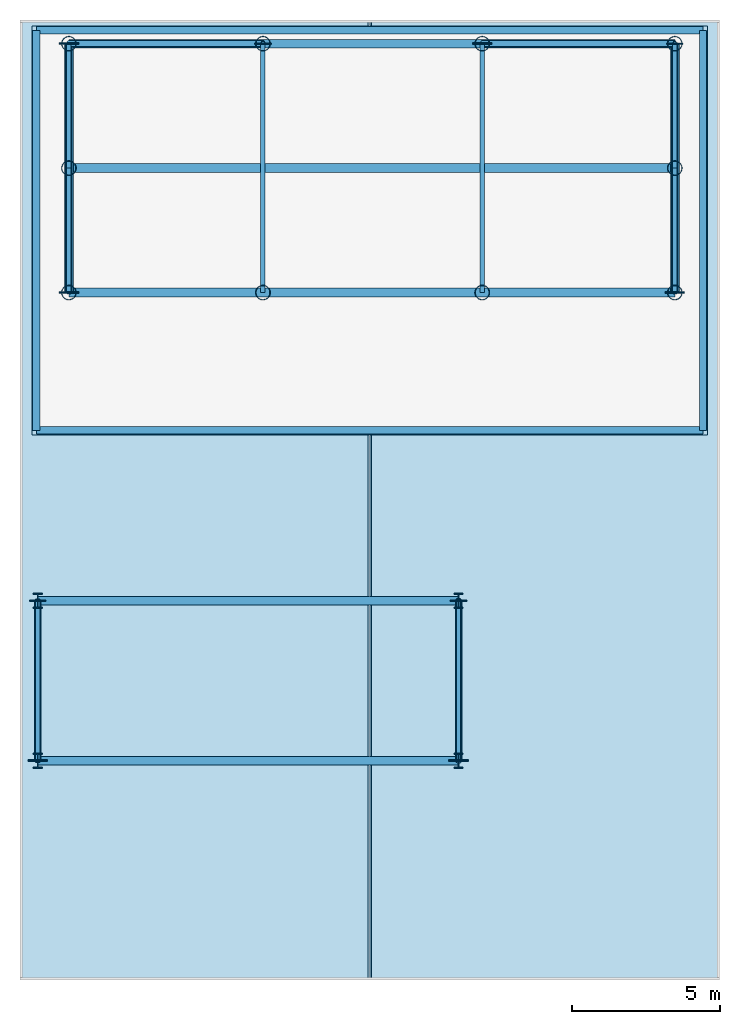
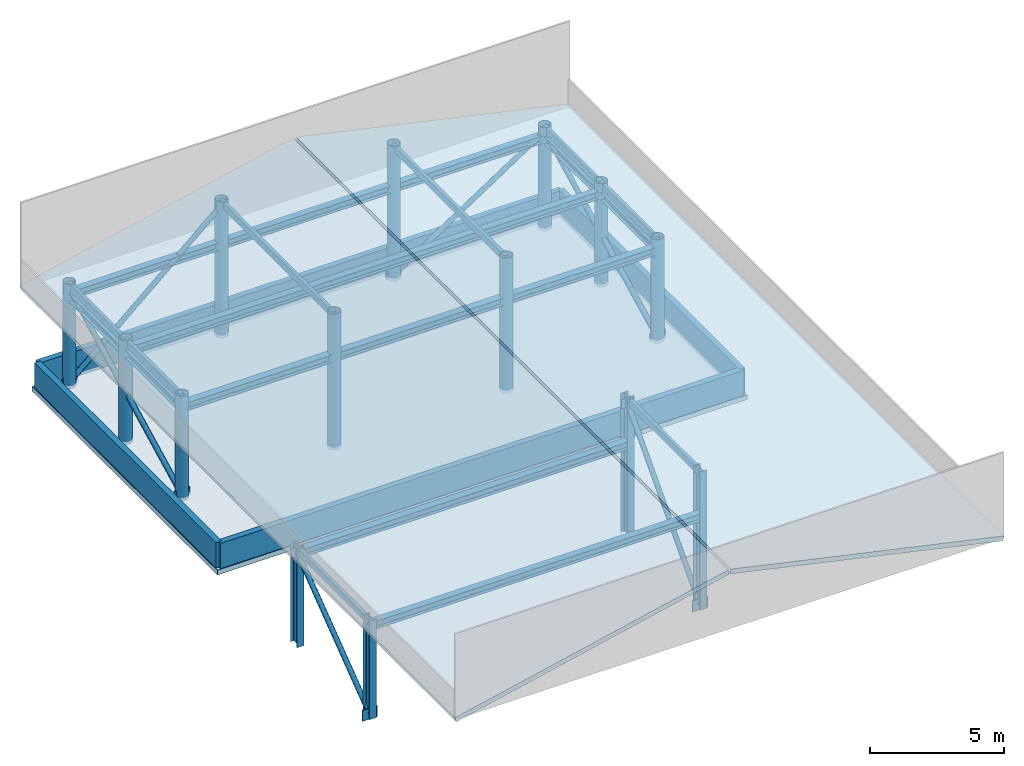
# One storey, part 1 of 2: 14 columns, 14 members, 11 plates, 7 beams, 4 walls, 3 slabs.
"""IFC4 building model written with IfcOpenShell, lengths in metres."""

import ifcopenshell
import ifcopenshell.guid

model = None  # the IFC model being written
_history = None  # IfcOwnerHistory: only IFC2X3 demands one
_inside = {}  # id of a spatial element -> (the spatial element, [elements in it])
_under = {}  # id of a project, library or spatial element -> (it, [spatial elements below it])
_declared = {}  # id of a project -> (the project, [libraries it declares])
_typed = {}  # id of a type object -> (the type object, [elements of that type])
_made_of = {}  # id of a material, layer set ... -> (it, [elements and type objects made of it])


def new_model(schema):
    """Start an empty IFC model of exactly this schema.

    Asked for "IFC4X3", IfcOpenShell would pick the latest addendum, in which some entities
    have other attributes; the version numbers below select the first issue.
    IFC2X3 requires an IfcOwnerHistory on every rooted entity: one is made here for all.
    """
    global model, _history
    if schema == "IFC4X3":
        model = ifcopenshell.file(schema_version=(4, 3, 0, 0))
    else:
        model = ifcopenshell.file(schema=schema)
    _inside.clear()
    _under.clear()
    _declared.clear()
    _typed.clear()
    _made_of.clear()
    _history = None
    if model.schema == "IFC2X3":
        org = make("IfcOrganization", Name="unknown")
        user = make(
            "IfcPersonAndOrganization",
            ThePerson=make("IfcPerson", FamilyName="unknown"),
            TheOrganization=org,
        )
        app = make(
            "IfcApplication",
            ApplicationDeveloper=org,
            Version="unknown",
            ApplicationFullName="unknown",
            ApplicationIdentifier="unknown",
        )
        _history = make(
            "IfcOwnerHistory",
            OwningUser=user,
            OwningApplication=app,
            ChangeAction="ADDED",
            CreationDate=0,
        )
    return model


def make(cls, **values):
    """One entity of the class cls with the attributes given. An attribute that is None is left unset."""
    return model.create_entity(
        cls, **{name: value for name, value in values.items() if value is not None}
    )


def rooted(cls, **values):
    """An entity with a GlobalId (a new one), such as an element, a storey or a relation."""
    return make(cls, GlobalId=ifcopenshell.guid.new(), OwnerHistory=_history, **values)


def si_unit(unit_type, name, prefix=None):
    """IfcSIUnit, for example si_unit("LENGTHUNIT", "METRE", prefix="MILLI")."""
    return make("IfcSIUnit", UnitType=unit_type, Prefix=prefix, Name=name)


def assignment(units):
    """IfcUnitAssignment: the units of a project."""
    return None if units is None else make("IfcUnitAssignment", Units=units)


def point(xyz):
    """IfcCartesianPoint."""
    return None if xyz is None else make("IfcCartesianPoint", Coordinates=xyz)


def direction(xyz):
    """IfcDirection."""
    return None if xyz is None else make("IfcDirection", DirectionRatios=xyz)


def frame(location, z_axis=None, x_axis=None):
    """IfcAxis2Placement3D, a coordinate frame: its origin and axes. An axis left out is left unset."""
    return make(
        "IfcAxis2Placement3D",
        Location=point(location),
        Axis=direction(z_axis),
        RefDirection=direction(x_axis),
    )


def frame_2d(location, x_axis=None):
    """IfcAxis2Placement2D, a coordinate frame in the plane: its origin and x axis."""
    return make(
        "IfcAxis2Placement2D", Location=point(location), RefDirection=direction(x_axis)
    )


def origin():
    """The frame at (0, 0, 0) with its axes left unset."""
    return frame((0.0, 0.0, 0.0))


def origin_2d():
    """The frame at (0, 0) in the plane with its x axis left unset."""
    return frame_2d((0.0, 0.0))


def place(relative_to, where):
    """IfcLocalPlacement: puts the frame where relative to a parent placement (None: the world)."""
    return make(
        "IfcLocalPlacement", PlacementRelTo=relative_to, RelativePlacement=where
    )


def context(
    kind, dimensions, precision=None, world=None, true_north=None, identifier=None
):
    """IfcGeometricRepresentationContext, for example the 3D "Model" context."""
    return make(
        "IfcGeometricRepresentationContext",
        ContextIdentifier=identifier,
        ContextType=kind,
        CoordinateSpaceDimension=dimensions,
        Precision=precision,
        WorldCoordinateSystem=world,
        TrueNorth=true_north,
    )


def subcontext(parent, identifier, kind, view, scale=None):
    """IfcGeometricRepresentationSubContext, for example "Body" below "Model"."""
    return make(
        "IfcGeometricRepresentationSubContext",
        ContextIdentifier=identifier,
        ContextType=kind,
        ParentContext=parent,
        TargetScale=scale,
        TargetView=view,
    )


def project(units=None, contexts=None):
    """IfcProject with its units and contexts."""
    return rooted(
        "IfcProject",
        Name="project",
        RepresentationContexts=contexts,
        UnitsInContext=assignment(units),
    )


def spatial(cls, under=None, at=None, **own):
    """A site, building, storey or space (cls), placed at a placement, below another one or the project."""
    s = rooted(cls, ObjectPlacement=at, **own)
    if under is not None:
        _under.setdefault(under.id(), (under, []))[1].append(s)
    return s


def polyline(points):
    """IfcPolyline through the points."""
    return make("IfcPolyline", Points=[point(p) for p in points])


def profile(cls, at=None, kind="AREA", **sizes):
    """A parametric profile (cls). Its sizes go by their IFC names, for example OverallWidth=200.0."""
    return make(cls, ProfileType=kind, Position=at, **sizes)


def rectangle(**sizes):
    """IfcRectangleProfileDef."""
    return profile("IfcRectangleProfileDef", **sizes)


def hollow_rectangle(**sizes):
    """IfcRectangleHollowProfileDef."""
    return profile("IfcRectangleHollowProfileDef", **sizes)


def hollow_circle(**sizes):
    """IfcCircleHollowProfileDef."""
    return profile("IfcCircleHollowProfileDef", **sizes)


def i_section(**sizes):
    """IfcIShapeProfileDef."""
    return profile("IfcIShapeProfileDef", **sizes)


def outline(outer, holes=None, kind="AREA"):
    """IfcArbitraryClosedProfileDef: a profile drawn as a closed curve; with holes, ...WithVoids."""
    if holes is None:
        return make("IfcArbitraryClosedProfileDef", ProfileType=kind, OuterCurve=outer)
    return make(
        "IfcArbitraryProfileDefWithVoids",
        ProfileType=kind,
        OuterCurve=outer,
        InnerCurves=holes,
    )


def extrude(swept, where, along, depth):
    """IfcExtrudedAreaSolid: the profile swept, set in the frame where, extruded along a direction by depth."""
    return make(
        "IfcExtrudedAreaSolid",
        SweptArea=swept,
        Position=where,
        ExtrudedDirection=direction(along),
        Depth=depth,
    )


def shape(context_of_items, identifier, shape_type, items):
    """IfcShapeRepresentation: the items that make up one representation, for example the "Body"."""
    return make(
        "IfcShapeRepresentation",
        ContextOfItems=context_of_items,
        RepresentationIdentifier=identifier,
        RepresentationType=shape_type,
        Items=items,
    )


def material(Name=None, Category=None):
    """IfcMaterial."""
    return make("IfcMaterial", Name=Name, Category=Category)


def layer(
    of_material, thickness, ventilated=None, Name=None, Category=None, Priority=None
):
    """IfcMaterialLayer: one layer of a wall or slab, of a material (None: an air gap)."""
    return make(
        "IfcMaterialLayer",
        Material=of_material,
        LayerThickness=thickness,
        IsVentilated=ventilated,
        Name=Name,
        Category=Category,
        Priority=Priority,
    )


def layer_set(layers, Name=None):
    """IfcMaterialLayerSet."""
    return make("IfcMaterialLayerSet", MaterialLayers=layers, LayerSetName=Name)


def material_profile(
    of_material, cross_section, Name=None, Category=None, Priority=None
):
    """IfcMaterialProfile: a cross section and its material."""
    return make(
        "IfcMaterialProfile",
        Name=Name,
        Material=of_material,
        Profile=cross_section,
        Priority=Priority,
        Category=Category,
    )


def profile_set(profiles, Name=None, composite=None):
    """IfcMaterialProfileSet."""
    return make(
        "IfcMaterialProfileSet",
        Name=Name,
        MaterialProfiles=profiles,
        CompositeProfile=composite,
    )


def made_of(thing, what):
    """Note that an element or type object is made of a material, layer set ...; save() writes the relation."""
    if what is not None:
        _made_of.setdefault(what.id(), (what, []))[1].append(thing)
    return thing


def type_object(cls, material=None, **own):
    """A type object (cls), such as IfcWallType, which elements share."""
    return made_of(rooted(cls, **own), material)


def element(
    cls,
    number,
    at=None,
    inside=None,
    cuts=None,
    type_object=None,
    material=None,
    context=None,
    identifier="Body",
    shape_type=None,
    held_by="IfcProductDefinitionShape",
    body=None,
    shapes=None,
    **own,
):
    """One element of the class cls, such as IfcWall. Its Tag is "e" and its number.

    at: its placement. inside: the storey or other place that contains it. cuts: it is an
    opening in that element (IfcRelVoidsElement). A single representation is given by context,
    identifier, shape_type and body (its items); several are given by shapes. held_by: the class
    of the entity that holds the representations. save() writes the other relations.
    """
    e = rooted(cls, Tag="e%d" % number, ObjectPlacement=at, **own)
    if body is not None:
        shapes = [shape(context, identifier, shape_type, body)]
    if shapes is not None:
        e.Representation = make(held_by, Representations=shapes)
    if inside is not None:
        _inside.setdefault(inside.id(), (inside, []))[1].append(e)
    if cuts is not None:
        rooted(
            "IfcRelVoidsElement", RelatingBuildingElement=cuts, RelatedOpeningElement=e
        )
    if type_object is not None:
        _typed.setdefault(type_object.id(), (type_object, []))[1].append(e)
    return made_of(e, material)


def aggregate(whole, parts):
    """IfcRelAggregates: a whole, such as a stair, and the parts it consists of."""
    return rooted("IfcRelAggregates", RelatingObject=whole, RelatedObjects=parts)


def save(model, path):
    """Write the relations noted so far, then the file.

    IfcRelAggregates (storeys below a building ...), IfcRelContainedInSpatialStructure (elements
    in a storey), IfcRelDefinesByType, IfcRelAssociatesMaterial and IfcRelDeclares: one each for
    every whole, place, type object, material and project.
    """
    for whole, parts in _under.values():
        aggregate(whole, parts)
    for where, things in _inside.values():
        rooted(
            "IfcRelContainedInSpatialStructure",
            RelatedElements=things,
            RelatingStructure=where,
        )
    for kind, things in _typed.values():
        rooted("IfcRelDefinesByType", RelatedObjects=things, RelatingType=kind)
    for what, things in _made_of.values():
        rooted("IfcRelAssociatesMaterial", RelatedObjects=things, RelatingMaterial=what)
    for by, libraries in _declared.values():
        rooted("IfcRelDeclares", RelatingContext=by, RelatedDefinitions=libraries)
    model.write(path)


model = new_model("IFC4")

# Units and contexts
model_context = context("Model", 3, precision=1e-05, world=origin(), true_north=direction((0.0, 1.0)))
body_context = subcontext(model_context, "Body", "Model", "MODEL_VIEW")
ifc_project = project(units=[si_unit("LENGTHUNIT", "METRE"), si_unit("AREAUNIT", "SQUARE_METRE"), si_unit("VOLUMEUNIT", "CUBIC_METRE"), si_unit("PLANEANGLEUNIT", "RADIAN"), si_unit("MASSUNIT", "GRAM", prefix="KILO")], contexts=[model_context])

# Site, building, storey
site_placement = place(None, origin())
site = spatial("IfcSite", under=ifc_project, at=site_placement, CompositionType="ELEMENT")
building_placement = place(site_placement, origin())
building = spatial("IfcBuilding", under=site, at=building_placement, Name="Kuzgunbayir Cultural Tower", CompositionType="ELEMENT")
storey_placement = place(building_placement, frame((0.0, 0.0, 254.199951171875)))
storey = spatial("IfcBuildingStorey", under=building, at=storey_placement, Name="RF1", CompositionType="ELEMENT", Elevation=254.199951171875)

# Columns
ifc_material_1 = material(Name="Steel S460M", Category="steel")
ifc_material_profile_1 = material_profile(ifc_material_1, hollow_circle(Radius=0.25390625, WallThickness=0.02490234375, at=origin_2d()), Name="CHS 508x25")
ifc_profile_set_1 = profile_set([ifc_material_profile_1], Name="Steel S460M")
column_type_1 = type_object("IfcColumnType", Name="COL-MAST-CM1", PredefinedType="COLUMN", material=ifc_profile_set_1)
column_1_placement = place(storey_placement, frame((6.449951171875, 33.800048828125, 0.0), z_axis=(0.0, 0.0, 1.0), x_axis=(1.0, 0.0, 0.0)))
element("IfcColumn", 1, at=column_1_placement, inside=storey, type_object=column_type_1, Name="RF1 Observation Crest Canopy Mast CM1-1", PredefinedType="COLUMN", context=body_context, shape_type="SweptSolid", body=[
    extrude(hollow_circle(Radius=0.25390625, WallThickness=0.02490234375, at=origin_2d()), origin(), (0.0, 0.0, 1.0), 4.719970703125),
])
column_2_placement = place(storey_placement, frame((13.0, 33.800048828125, 0.0), z_axis=(0.0, 0.0, 1.0), x_axis=(1.0, 0.0, 0.0)))
element("IfcColumn", 2, at=column_2_placement, inside=storey, type_object=column_type_1, Name="RF1 Observation Crest Canopy Mast CM1-2", PredefinedType="COLUMN", context=body_context, shape_type="SweptSolid", body=[
    extrude(hollow_circle(Radius=0.25390625, WallThickness=0.02490234375, at=origin_2d()), origin(), (0.0, 0.0, 1.0), 6.170166015625),
])
column_3_placement = place(storey_placement, frame((20.39990234375, 33.800048828125, 0.0), z_axis=(0.0, 0.0, 1.0), x_axis=(1.0, 0.0, 0.0)))
element("IfcColumn", 3, at=column_3_placement, inside=storey, type_object=column_type_1, Name="RF1 Observation Crest Canopy Mast CM1-3", PredefinedType="COLUMN", context=body_context, shape_type="SweptSolid", body=[
    extrude(hollow_circle(Radius=0.25390625, WallThickness=0.02490234375, at=origin_2d()), origin(), (0.0, 0.0, 1.0), 6.1201171875),
])
column_4_placement = place(storey_placement, frame((26.89990234375, 33.800048828125, 0.0), z_axis=(0.0, 0.0, 1.0), x_axis=(1.0, 0.0, 0.0)))
element("IfcColumn", 4, at=column_4_placement, inside=storey, type_object=column_type_1, Name="RF1 Observation Crest Canopy Mast CM1-4", PredefinedType="COLUMN", context=body_context, shape_type="SweptSolid", body=[
    extrude(hollow_circle(Radius=0.25390625, WallThickness=0.02490234375, at=origin_2d()), origin(), (0.0, 0.0, 1.0), 4.68994140625),
])
column_5_placement = place(storey_placement, frame((6.449951171875, 42.199951171875, 0.0), z_axis=(0.0, 0.0, 1.0), x_axis=(1.0, 0.0, 0.0)))
element("IfcColumn", 5, at=column_5_placement, inside=storey, type_object=column_type_1, Name="RF1 Observation Crest Canopy Mast CM1-5", PredefinedType="COLUMN", context=body_context, shape_type="SweptSolid", body=[
    extrude(hollow_circle(Radius=0.25390625, WallThickness=0.02490234375, at=origin_2d()), origin(), (0.0, 0.0, 1.0), 4.719970703125),
])
column_6_placement = place(storey_placement, frame((26.89990234375, 42.199951171875, 0.0), z_axis=(0.0, 0.0, 1.0), x_axis=(1.0, 0.0, 0.0)))
element("IfcColumn", 6, at=column_6_placement, inside=storey, type_object=column_type_1, Name="RF1 Observation Crest Canopy Mast CM1-6", PredefinedType="COLUMN", context=body_context, shape_type="SweptSolid", body=[
    extrude(hollow_circle(Radius=0.25390625, WallThickness=0.02490234375, at=origin_2d()), origin(), (0.0, 0.0, 1.0), 4.68994140625),
])
column_7_placement = place(storey_placement, frame((13.0, 42.199951171875, 0.0), z_axis=(0.0, 0.0, 1.0), x_axis=(1.0, 0.0, 0.0)))
element("IfcColumn", 7, at=column_7_placement, inside=storey, type_object=column_type_1, Name="RF1 Observation Crest Canopy Mast CM1-7", PredefinedType="COLUMN", context=body_context, shape_type="SweptSolid", body=[
    extrude(hollow_circle(Radius=0.25390625, WallThickness=0.02490234375, at=origin_2d()), origin(), (0.0, 0.0, 1.0), 6.170166015625),
])
column_8_placement = place(storey_placement, frame((20.39990234375, 42.199951171875, 0.0), z_axis=(0.0, 0.0, 1.0), x_axis=(1.0, 0.0, 0.0)))
element("IfcColumn", 8, at=column_8_placement, inside=storey, type_object=column_type_1, Name="RF1 Observation Crest Canopy Mast CM1-8", PredefinedType="COLUMN", context=body_context, shape_type="SweptSolid", body=[
    extrude(hollow_circle(Radius=0.25390625, WallThickness=0.02490234375, at=origin_2d()), origin(), (0.0, 0.0, 1.0), 6.1201171875),
])
column_9_placement = place(storey_placement, frame((6.449951171875, 38.0, 0.0), z_axis=(0.0, 0.0, 1.0), x_axis=(1.0, 0.0, 0.0)))
element("IfcColumn", 9, at=column_9_placement, inside=storey, type_object=column_type_1, Name="RF1 Observation Crest Canopy Mast CM1-9", PredefinedType="COLUMN", context=body_context, shape_type="SweptSolid", body=[
    extrude(hollow_circle(Radius=0.25390625, WallThickness=0.02490234375, at=origin_2d()), origin(), (0.0, 0.0, 1.0), 4.719970703125),
])
column_10_placement = place(storey_placement, frame((26.89990234375, 38.0, 0.0), z_axis=(0.0, 0.0, 1.0), x_axis=(1.0, 0.0, 0.0)))
element("IfcColumn", 10, at=column_10_placement, inside=storey, type_object=column_type_1, Name="RF1 Observation Crest Canopy Mast CM1-10", PredefinedType="COLUMN", context=body_context, shape_type="SweptSolid", body=[
    extrude(hollow_circle(Radius=0.25390625, WallThickness=0.02490234375, at=origin_2d()), origin(), (0.0, 0.0, 1.0), 4.68994140625),
])
ifc_material_profile_2 = material_profile(ifc_material_1, i_section(OverallWidth=0.300048828125, OverallDepth=0.5, WebThickness=0.014404296875, FlangeThickness=0.028076171875, FilletRadius=0.027099609375, at=origin_2d()), Name="HEB 500")
ifc_profile_set_2 = profile_set([ifc_material_profile_2], Name="Steel S460M")
column_type_2 = type_object("IfcColumnType", Name="COL-MAST-CM2", PredefinedType="COLUMN", material=ifc_profile_set_2)
column_11_placement = place(storey_placement, frame((5.39990234375, 18.0, 0.0), z_axis=(0.0, 0.0, 1.0), x_axis=(1.0, 0.0, 0.0)))
element("IfcColumn", 11, at=column_11_placement, inside=storey, type_object=column_type_2, Name="RF1 Observation Crest Canopy Mast CM2-1", PredefinedType="COLUMN", context=body_context, shape_type="SweptSolid", body=[
    extrude(i_section(OverallWidth=0.300048828125, OverallDepth=0.5, WebThickness=0.014404296875, FlangeThickness=0.028076171875, FilletRadius=0.027099609375, at=origin_2d()), origin(), (0.0, 0.0, 1.0), 4.489990234375),
])
column_12_placement = place(storey_placement, frame((19.60009765625, 18.0, 0.0), z_axis=(0.0, 0.0, 1.0), x_axis=(1.0, 0.0, 0.0)))
element("IfcColumn", 12, at=column_12_placement, inside=storey, type_object=column_type_2, Name="RF1 Observation Crest Canopy Mast CM2-2", PredefinedType="COLUMN", context=body_context, shape_type="SweptSolid", body=[
    extrude(i_section(OverallWidth=0.300048828125, OverallDepth=0.5, WebThickness=0.014404296875, FlangeThickness=0.028076171875, FilletRadius=0.027099609375, at=origin_2d()), origin(), (0.0, 0.0, 1.0), 6.300048828125),
])
column_13_placement = place(storey_placement, frame((5.39990234375, 23.39990234375, 0.0), z_axis=(0.0, 0.0, 1.0), x_axis=(1.0, 0.0, 0.0)))
element("IfcColumn", 13, at=column_13_placement, inside=storey, type_object=column_type_2, Name="RF1 Observation Crest Canopy Mast CM2-3", PredefinedType="COLUMN", context=body_context, shape_type="SweptSolid", body=[
    extrude(i_section(OverallWidth=0.300048828125, OverallDepth=0.5, WebThickness=0.014404296875, FlangeThickness=0.028076171875, FilletRadius=0.027099609375, at=origin_2d()), origin(), (0.0, 0.0, 1.0), 4.489990234375),
])
column_14_placement = place(storey_placement, frame((19.60009765625, 23.39990234375, 0.0), z_axis=(0.0, 0.0, 1.0), x_axis=(1.0, 0.0, 0.0)))
element("IfcColumn", 14, at=column_14_placement, inside=storey, type_object=column_type_2, Name="RF1 Observation Crest Canopy Mast CM2-4", PredefinedType="COLUMN", context=body_context, shape_type="SweptSolid", body=[
    extrude(i_section(OverallWidth=0.300048828125, OverallDepth=0.5, WebThickness=0.014404296875, FlangeThickness=0.028076171875, FilletRadius=0.027099609375, at=origin_2d()), origin(), (0.0, 0.0, 1.0), 6.300048828125),
])

# Beams
ifc_material_2 = material(Name="Steel S355J2", Category="steel")
ifc_material_profile_3 = material_profile(ifc_material_2, i_section(OverallWidth=0.300048828125, OverallDepth=0.360107421875, WebThickness=0.012451171875, FlangeThickness=0.0224609375, FilletRadius=0.027099609375, at=origin_2d()), Name="HEB 360")
ifc_profile_set_3 = profile_set([ifc_material_profile_3], Name="Steel S355J2")
beam_type = type_object("IfcBeamType", Name="BM-EXT-HEB360", PredefinedType="BEAM", material=ifc_profile_set_3)
for number, where, z_axis, x_axis, name in (
    (15, (6.449951171875, 33.800048828125, 4.1201171875), (0.0, 1.0, 0.0), (-1.0, 0.0, 0.0), "RF1 Canopy West Eaves Girder"),
    (16, (26.89990234375, 33.800048828125, 4.1201171875), (0.0, 1.0, 0.0), (-1.0, 0.0, 0.0), "RF1 Canopy East Eaves Girder"),
):
    element("IfcBeam", number, at=place(storey_placement, frame(where, z_axis=z_axis, x_axis=x_axis)), inside=storey, type_object=beam_type, Name=name, PredefinedType="BEAM", context=body_context, shape_type="SweptSolid", body=[
        extrude(i_section(OverallWidth=0.300048828125, OverallDepth=0.360107421875, WebThickness=0.012451171875, FlangeThickness=0.0224609375, FilletRadius=0.027099609375, at=origin_2d()), origin(), (0.0, 0.0, 1.0), 8.39990234375),
    ])
for number, where, z_axis, x_axis, name in (
    (17, (5.39990234375, 18.0, 4.1201171875), (1.0, 0.0, 0.0), (0.0, 1.0, 0.0), "RF1 Canopy Tie Girder 18"),
    (18, (5.39990234375, 23.39990234375, 4.1201171875), (1.0, 0.0, 0.0), (0.0, 1.0, 0.0), "RF1 Canopy Tie Girder 23"),
):
    element("IfcBeam", number, at=place(storey_placement, frame(where, z_axis=z_axis, x_axis=x_axis)), inside=storey, type_object=beam_type, Name=name, PredefinedType="BEAM", context=body_context, shape_type="SweptSolid", body=[
        extrude(i_section(OverallWidth=0.300048828125, OverallDepth=0.360107421875, WebThickness=0.012451171875, FlangeThickness=0.0224609375, FilletRadius=0.027099609375, at=origin_2d()), origin(), (0.0, 0.0, 1.0), 14.2001953125),
    ])
for number, where, z_axis, x_axis, name in (
    (19, (6.449951171875, 33.800048828125, 4.1201171875), (1.0, 0.0, 0.0), (0.0, 1.0, 0.0), "RF1 Canopy Tie Girder 33"),
    (20, (6.449951171875, 38.0, 4.1201171875), (1.0, 0.0, 0.0), (0.0, 1.0, 0.0), "RF1 Canopy Tie Girder 38"),
    (21, (6.449951171875, 42.199951171875, 4.1201171875), (1.0, 0.0, 0.0), (0.0, 1.0, 0.0), "RF1 Canopy Tie Girder 42"),
):
    element("IfcBeam", number, at=place(storey_placement, frame(where, z_axis=z_axis, x_axis=x_axis)), inside=storey, type_object=beam_type, Name=name, PredefinedType="BEAM", context=body_context, shape_type="SweptSolid", body=[
        extrude(i_section(OverallWidth=0.300048828125, OverallDepth=0.360107421875, WebThickness=0.012451171875, FlangeThickness=0.0224609375, FilletRadius=0.027099609375, at=origin_2d()), origin(), (0.0, 0.0, 1.0), 20.449951171875),
    ])

# Members
ifc_material_profile_4 = material_profile(ifc_material_2, hollow_circle(Radius=0.109619140625, WallThickness=0.010009765625, at=origin_2d()), Name="CHS 219.1x10")
ifc_profile_set_4 = profile_set([ifc_material_profile_4], Name="Steel S355J2")
member_type_1 = type_object("IfcMemberType", Name="MEM-CAN-CHS219", PredefinedType="BRACE", material=ifc_profile_set_4)
member_1_placement = place(storey_placement, frame((5.39990234375, 18.0, 0.10009765625), z_axis=(0.0, 0.797873878571, 0.602824413817), x_axis=(-1.0, 0.0, 0.0)))
element("IfcMember", 22, at=member_1_placement, inside=storey, type_object=member_type_1, Name="RF1 Crest Canopy Wind Brace 1", PredefinedType="BRACE", context=body_context, shape_type="SweptSolid", body=[
    extrude(hollow_circle(Radius=0.109619140625, WallThickness=0.010009765625, at=origin_2d()), origin(), (0.0, 0.0, 1.0), 6.767822265625),
])
member_2_placement = place(storey_placement, frame((19.60009765625, 18.0, 0.10009765625), z_axis=(0.0, 0.675781352179, 0.737102139494), x_axis=(-1.0, 0.0, 0.0)))
element("IfcMember", 23, at=member_2_placement, inside=storey, type_object=member_type_1, Name="RF1 Crest Canopy Wind Brace 2", PredefinedType="BRACE", context=body_context, shape_type="SweptSolid", body=[
    extrude(hollow_circle(Radius=0.109619140625, WallThickness=0.010009765625, at=origin_2d()), origin(), (0.0, 0.0, 1.0), 7.99072265625),
])
member_3_placement = place(storey_placement, frame((6.449951171875, 33.800048828125, 0.10009765625), z_axis=(0.0, 0.88971351811, 0.456519282936), x_axis=(-1.0, 0.0, 0.0)))
element("IfcMember", 24, at=member_3_placement, inside=storey, type_object=member_type_1, Name="RF1 Crest Canopy Wind Brace 3", PredefinedType="BRACE", context=body_context, shape_type="SweptSolid", body=[
    extrude(hollow_circle(Radius=0.109619140625, WallThickness=0.010009765625, at=origin_2d()), origin(), (0.0, 0.0, 1.0), 9.441162109375),
])
member_4_placement = place(storey_placement, frame((26.89990234375, 33.800048828125, 0.10009765625), z_axis=(0.0, 0.891003723195, 0.453995996958), x_axis=(-1.0, 0.0, 0.0)))
element("IfcMember", 25, at=member_4_placement, inside=storey, type_object=member_type_1, Name="RF1 Crest Canopy Wind Brace 4", PredefinedType="BRACE", context=body_context, shape_type="SweptSolid", body=[
    extrude(hollow_circle(Radius=0.109619140625, WallThickness=0.010009765625, at=origin_2d()), origin(), (0.0, 0.0, 1.0), 9.427490234375),
])
member_5_placement = place(storey_placement, frame((6.449951171875, 42.199951171875, 0.10009765625), z_axis=(0.75094279255, 0.0, 0.660367263209), x_axis=(0.0, 1.0, 0.0)))
element("IfcMember", 26, at=member_5_placement, inside=storey, type_object=member_type_1, Name="RF1 Crest Canopy Wind Brace 5", PredefinedType="BRACE", context=body_context, shape_type="SweptSolid", body=[
    extrude(hollow_circle(Radius=0.109619140625, WallThickness=0.010009765625, at=origin_2d()), origin(), (0.0, 0.0, 1.0), 8.722412109375),
])
member_6_placement = place(storey_placement, frame((20.39990234375, 42.199951171875, 0.10009765625), z_axis=(0.835197925414, 0.0, 0.549949475302), x_axis=(0.0, 1.0, 0.0)))
element("IfcMember", 27, at=member_6_placement, inside=storey, type_object=member_type_1, Name="RF1 Crest Canopy Wind Brace 6", PredefinedType="BRACE", context=body_context, shape_type="SweptSolid", body=[
    extrude(hollow_circle(Radius=0.109619140625, WallThickness=0.010009765625, at=origin_2d()), origin(), (0.0, 0.0, 1.0), 7.782470703125),
])
ifc_material_profile_5 = material_profile(ifc_material_2, hollow_rectangle(XDim=0.14990234375, YDim=0.300048828125, WallThickness=0.012451171875, at=origin_2d()), Name="RHS 300x150x12.5")
ifc_profile_set_5 = profile_set([ifc_material_profile_5], Name="Steel S355J2")
member_type_2 = type_object("IfcMemberType", Name="MEM-PRL-RHS300", PredefinedType="PURLIN", material=ifc_profile_set_5)
for number, where, z_axis, x_axis, name in (
    (28, (5.39990234375, 18.0, 4.31005859375), (0.0, 1.0, 0.0), (-1.0, 0.0, 0.0), "RF1 Crest Canopy Purlin 5"),
    (29, (19.60009765625, 18.0, 6.1201171875), (0.0, 1.0, 0.0), (-1.0, 0.0, 0.0), "RF1 Crest Canopy Purlin 19"),
):
    element("IfcMember", number, at=place(storey_placement, frame(where, z_axis=z_axis, x_axis=x_axis)), inside=storey, type_object=member_type_2, Name=name, PredefinedType="PURLIN", context=body_context, shape_type="SweptSolid", body=[
        extrude(hollow_rectangle(XDim=0.14990234375, YDim=0.300048828125, WallThickness=0.012451171875, at=origin_2d()), origin(), (0.0, 0.0, 1.0), 5.39990234375),
    ])
for number, where, z_axis, x_axis, name in (
    (30, (6.449951171875, 33.800048828125, 4.5400390625), (0.0, 1.0, 0.0), (-1.0, 0.0, 0.0), "RF1 Crest Canopy Purlin 6"),
    (31, (6.449951171875, 38.0, 4.5400390625), (0.0, 1.0, 0.0), (-1.0, 0.0, 0.0), "RF1 Crest Canopy Purlin 6"),
):
    element("IfcMember", number, at=place(storey_placement, frame(where, z_axis=z_axis, x_axis=x_axis)), inside=storey, type_object=member_type_2, Name=name, PredefinedType="PURLIN", context=body_context, shape_type="SweptSolid", body=[
        extrude(hollow_rectangle(XDim=0.14990234375, YDim=0.300048828125, WallThickness=0.012451171875, at=origin_2d()), origin(), (0.0, 0.0, 1.0), 4.199951171875),
    ])
for number, where, z_axis, x_axis, name in (
    (32, (13.0, 33.800048828125, 5.989990234375), (0.0, 1.0, 0.0), (-1.0, 0.0, 0.0), "RF1 Crest Canopy Purlin 13"),
    (33, (20.39990234375, 33.800048828125, 5.93994140625), (0.0, 1.0, 0.0), (-1.0, 0.0, 0.0), "RF1 Crest Canopy Purlin 20"),
):
    element("IfcMember", number, at=place(storey_placement, frame(where, z_axis=z_axis, x_axis=x_axis)), inside=storey, type_object=member_type_2, Name=name, PredefinedType="PURLIN", context=body_context, shape_type="SweptSolid", body=[
        extrude(hollow_rectangle(XDim=0.14990234375, YDim=0.300048828125, WallThickness=0.012451171875, at=origin_2d()), origin(), (0.0, 0.0, 1.0), 8.39990234375),
    ])
for number, where, z_axis, x_axis, name in (
    (34, (26.89990234375, 33.800048828125, 4.510009765625), (0.0, 1.0, 0.0), (-1.0, 0.0, 0.0), "RF1 Crest Canopy Purlin 26"),
    (35, (26.89990234375, 38.0, 4.510009765625), (0.0, 1.0, 0.0), (-1.0, 0.0, 0.0), "RF1 Crest Canopy Purlin 26"),
):
    element("IfcMember", number, at=place(storey_placement, frame(where, z_axis=z_axis, x_axis=x_axis)), inside=storey, type_object=member_type_2, Name=name, PredefinedType="PURLIN", context=body_context, shape_type="SweptSolid", body=[
        extrude(hollow_rectangle(XDim=0.14990234375, YDim=0.300048828125, WallThickness=0.012451171875, at=origin_2d()), origin(), (0.0, 0.0, 1.0), 4.199951171875),
    ])

# Plates
ifc_layer_1 = layer(ifc_material_1, 0.0400390625)
ifc_layer_set_1 = layer_set([ifc_layer_1], Name="Steel S460M")
plate_type_1 = type_object("IfcPlateType", Name="PLT-CAP-END-40", PredefinedType="USERDEFINED", material=ifc_layer_set_1)
for number, where, z_axis, x_axis, name in (
    (36, (5.39990234375, 23.39990234375, 3.969970703125), (0.0, 0.0, 1.0), (1.0, 0.0, 0.0), "RF1 Hollow End Cap Plate CBR-1 End"),
    (37, (19.60009765625, 23.39990234375, 5.780029296875), (0.0, 0.0, 1.0), (1.0, 0.0, 0.0), "RF1 Hollow End Cap Plate CBR-2 End"),
    (38, (6.449951171875, 42.199951171875, 4.2001953125), (0.0, 0.0, 1.0), (1.0, 0.0, 0.0), "RF1 Hollow End Cap Plate CBR-3 End"),
    (39, (26.89990234375, 42.199951171875, 4.170166015625), (0.0, 0.0, 1.0), (1.0, 0.0, 0.0), "RF1 Hollow End Cap Plate CBR-4 End"),
    (40, (13.0, 42.199951171875, 5.650146484375), (0.0, 0.0, 1.0), (1.0, 0.0, 0.0), "RF1 Hollow End Cap Plate CBR-5 End"),
):
    element("IfcPlate", number, at=place(storey_placement, frame(where, z_axis=z_axis, x_axis=x_axis)), inside=storey, type_object=plate_type_1, Name=name, ObjectType="END_CAP_PLATE", PredefinedType="USERDEFINED", context=body_context, shape_type="SweptSolid", body=[
        extrude(rectangle(XDim=0.550048828125, YDim=0.0400390625, at=origin_2d()), origin(), (0.0, 0.0, 1.0), 0.419921875),
    ])
ifc_layer_2 = layer(ifc_material_1, 0.050048828125)
ifc_layer_set_2 = layer_set([ifc_layer_2], Name="Steel S460M")
plate_type_2 = type_object("IfcPlateType", Name="PLT-NODE-GUSSET-50", PredefinedType="USERDEFINED", material=ifc_layer_set_2)
for number, where, z_axis, x_axis, name in (
    (41, (5.39990234375, 18.0, -0.14990234375), (0.0, 0.0, 1.0), (1.0, 0.0, 0.0), "RF1 Truss Gusset Plate CBR-1 Start"),
    (42, (19.60009765625, 18.0, -0.14990234375), (0.0, 0.0, 1.0), (1.0, 0.0, 0.0), "RF1 Truss Gusset Plate CBR-2 Start"),
    (43, (6.449951171875, 33.800048828125, -0.14990234375), (0.0, 0.0, 1.0), (1.0, 0.0, 0.0), "RF1 Truss Gusset Plate CBR-3 Start"),
    (44, (26.89990234375, 33.800048828125, -0.14990234375), (0.0, 0.0, 1.0), (1.0, 0.0, 0.0), "RF1 Truss Gusset Plate CBR-4 Start"),
    (45, (6.449951171875, 42.199951171875, -0.14990234375), (0.0, 0.0, 1.0), (1.0, 0.0, 0.0), "RF1 Truss Gusset Plate CBR-5 Start"),
    (46, (20.39990234375, 42.199951171875, -0.14990234375), (0.0, 0.0, 1.0), (1.0, 0.0, 0.0), "RF1 Truss Gusset Plate CBR-6 Start"),
):
    element("IfcPlate", number, at=place(storey_placement, frame(where, z_axis=z_axis, x_axis=x_axis)), inside=storey, type_object=plate_type_2, Name=name, ObjectType="GUSSET_PLATE", PredefinedType="USERDEFINED", context=body_context, shape_type="SweptSolid", body=[
        extrude(rectangle(XDim=0.64990234375, YDim=0.050048828125, at=origin_2d()), origin(), (0.0, 0.0, 1.0), 0.5),
    ])

# Slabs
ifc_material_3 = material(Name="Concrete C40/50", Category="concrete")
ifc_layer_3 = layer(ifc_material_3, 0.219970703125)
ifc_layer_set_3 = layer_set([ifc_layer_3], Name="Concrete C40/50")
slab_type = type_object("IfcSlabType", Name="SLB-ROOF-CREST-220", PredefinedType="ROOF", material=ifc_layer_set_3)
slab_placement = place(storey_placement, frame((0.0, 0.0, -0.219970703125)))
element("IfcSlab", 47, at=slab_placement, inside=storey, type_object=slab_type, Name="RF1 Lift Overrun and Stair Penthouse Roof Slab", PredefinedType="ROOF", context=body_context, shape_type="SweptSolid", body=[
    extrude(outline(polyline([(5.199951171875, 29.0), (28.0, 29.0), (28.0, 42.800048828125), (5.199951171875, 42.800048828125), (5.199951171875, 29.0)])), origin(), (0.0, 0.0, 1.0), 0.219970703125),
])
for number, where, z_axis, x_axis, name in (
    (48, (4.800048828125, 10.60009765625, 4.60009765625), (-0.216214513546, 0.0, 0.976345883451), (0.976345883451, 0.0, 0.216214513546), "RF1 Sculpted Crest Canopy West Facet"),
    (49, (16.659912109375, 10.60009765625, 7.199951171875), (0.216214513546, 0.0, 0.976345883451), (0.976345883451, 0.0, -0.216214513546), "RF1 Sculpted Crest Canopy East Facet"),
):
    element("IfcSlab", number, at=place(storey_placement, frame(where, z_axis=z_axis, x_axis=x_axis)), inside=storey, type_object=slab_type, Name=name, PredefinedType="ROOF", context=body_context, shape_type="SweptSolid", body=[
        extrude(outline(polyline([(0.0, 0.0), (12.02441720026081, 0.0), (12.02441720026081, 32.39990234375), (0.0, 32.39990234375), (0.0, 0.0)])), origin(), (0.0, 0.0, -1.0), 0.219970703125),
    ])

# Walls
ifc_material_4 = material(Name="Anatolian Cream Limestone", Category="masonry")
ifc_layer_4 = layer(ifc_material_4, 0.25)
ifc_layer_set_4 = layer_set([ifc_layer_4], Name="Anatolian Cream Limestone")
wall_type = type_object("IfcWallType", Name="WAL-PARAPET-STONE-250", PredefinedType="PARAPET", material=ifc_layer_set_4)
wall_1_placement = place(storey_placement, frame((5.35009765625, 29.14990234375, 0.0), z_axis=(0.0, 0.0, 1.0), x_axis=(1.0, 0.0, 0.0)))
element("IfcWall", 50, at=wall_1_placement, inside=storey, type_object=wall_type, Name="RF1 Limestone Roof Parapet 1", PredefinedType="PARAPET", context=body_context, shape_type="SweptSolid", body=[
    extrude(rectangle(XDim=22.5, YDim=0.25, at=frame_2d((11.25, 0.0))), origin(), (0.0, 0.0, 1.0), 1.150146484375),
])
wall_2_placement = place(storey_placement, frame((27.85009765625, 29.14990234375, 0.0), z_axis=(0.0, 0.0, 1.0), x_axis=(0.0, 1.0, 0.0)))
element("IfcWall", 51, at=wall_2_placement, inside=storey, type_object=wall_type, Name="RF1 Limestone Roof Parapet 2", PredefinedType="PARAPET", context=body_context, shape_type="SweptSolid", body=[
    extrude(rectangle(XDim=13.5, YDim=0.25, at=frame_2d((6.75, 0.0))), origin(), (0.0, 0.0, 1.0), 1.150146484375),
])
wall_3_placement = place(storey_placement, frame((27.85009765625, 42.64990234375, 0.0), z_axis=(0.0, 0.0, 1.0), x_axis=(-1.0, 0.0, 0.0)))
element("IfcWall", 52, at=wall_3_placement, inside=storey, type_object=wall_type, Name="RF1 Limestone Roof Parapet 3", PredefinedType="PARAPET", context=body_context, shape_type="SweptSolid", body=[
    extrude(rectangle(XDim=22.5, YDim=0.25, at=frame_2d((11.25, 0.0))), origin(), (0.0, 0.0, 1.0), 1.150146484375),
])
wall_4_placement = place(storey_placement, frame((5.35009765625, 42.64990234375, 0.0), z_axis=(0.0, 0.0, 1.0), x_axis=(0.0, -1.0, 0.0)))
element("IfcWall", 53, at=wall_4_placement, inside=storey, type_object=wall_type, Name="RF1 Limestone Roof Parapet 4", PredefinedType="PARAPET", context=body_context, shape_type="SweptSolid", body=[
    extrude(rectangle(XDim=13.5, YDim=0.25, at=frame_2d((6.75, 0.0))), origin(), (0.0, 0.0, 1.0), 1.150146484375),
])

save(model, "model.ifc")
